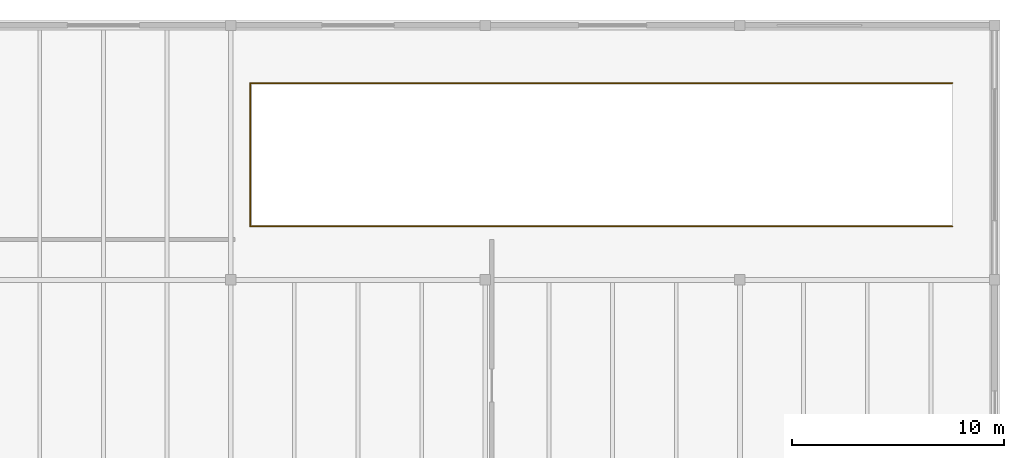
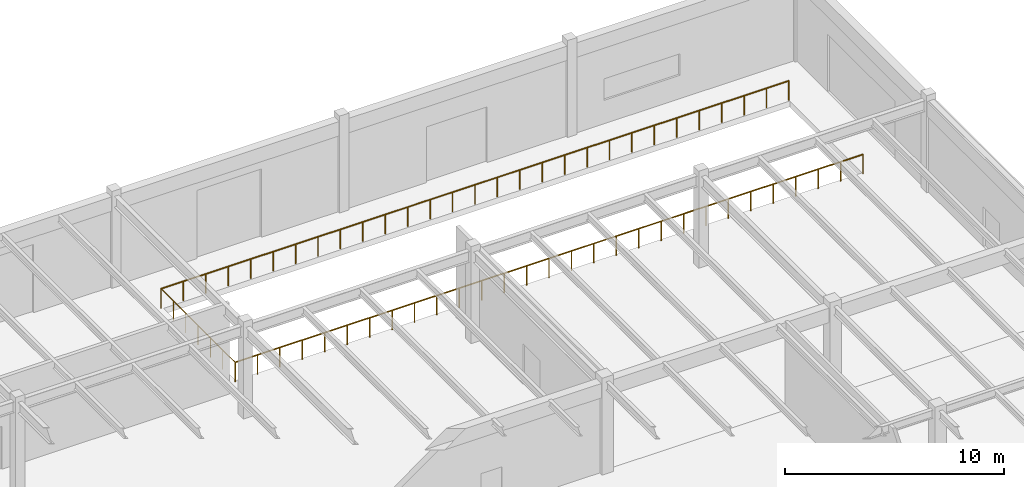
# One storey, part 187 of 188: 3 railings.
"""IFC4 building model written with IfcOpenShell, lengths in metres."""

from ifc_helpers import new_model, si_unit, direction, frame, origin, origin_2d, place, context, subcontext, project, spatial, circle, extrude, material, type_object, element, save


model = new_model("IFC4")

# Units and contexts
model_context = context("Model", 3, precision=1e-05, world=origin(), true_north=direction((0.0, 1.0)))
body_context = subcontext(model_context, "Body", "Model", "MODEL_VIEW")
ifc_project = project(units=[si_unit("LENGTHUNIT", "METRE"), si_unit("AREAUNIT", "SQUARE_METRE"), si_unit("VOLUMEUNIT", "CUBIC_METRE"), si_unit("PLANEANGLEUNIT", "RADIAN"), si_unit("MASSUNIT", "GRAM", prefix="KILO")], contexts=[model_context])

# Site, building, storey
site_placement = place(None, origin())
site = spatial("IfcSite", under=ifc_project, at=site_placement, CompositionType="ELEMENT")
building_placement = place(site_placement, origin())
building = spatial("IfcBuilding", under=site, at=building_placement, Name="Pandanus Reach Market Hall", CompositionType="ELEMENT")
storey_placement = place(building_placement, origin())
storey = spatial("IfcBuildingStorey", under=building, at=storey_placement, Name="L00", CompositionType="ELEMENT", Elevation=0.0)

# Railings
ifc_material = material(Name="Galvanised steel Grade 350 (350 MPa)", Category="steel")
railing_type = type_object("IfcRailingType", Name="GR-INT-110", PredefinedType="GUARDRAIL", material=ifc_material)
railing_1_placement = place(storey_placement, frame((144.919921875, 110.52001953125, 0.0)))
element("IfcRailing", 1, at=railing_1_placement, inside=storey, type_object=railing_type, Name="Vehicle ramp void barrier guard 222", PredefinedType="GUARDRAIL", context=body_context, shape_type="SweptSolid", body=[
    extrude(circle(Radius=0.02392578125, at=origin_2d()), frame((0.0, 0.0, 1.076171875), z_axis=(1.0, 0.0, 0.0), x_axis=(0.0, 1.0, 0.0)), (0.0, 0.0, 1.0), 33.080078125),
    extrude(circle(Radius=0.02099609375, at=origin_2d()), origin(), (0.0, 0.0, 1.0), 1.052001953125),
    extrude(circle(Radius=0.02099609375, at=origin_2d()), frame((1.181396484375, 0.0, 0.0)), (0.0, 0.0, 1.0), 1.052001953125),
    extrude(circle(Radius=0.02099609375, at=origin_2d()), frame((2.36279296875, 0.0, 0.0)), (0.0, 0.0, 1.0), 1.052001953125),
    extrude(circle(Radius=0.02099609375, at=origin_2d()), frame((3.544189453125, 0.0, 0.0)), (0.0, 0.0, 1.0), 1.052001953125),
    extrude(circle(Radius=0.02099609375, at=origin_2d()), frame((4.725830078125, 0.0, 0.0)), (0.0, 0.0, 1.0), 1.052001953125),
    extrude(circle(Radius=0.02099609375, at=origin_2d()), frame((5.9072265625, 0.0, 0.0)), (0.0, 0.0, 1.0), 1.052001953125),
    extrude(circle(Radius=0.02099609375, at=origin_2d()), frame((7.088623046875, 0.0, 0.0)), (0.0, 0.0, 1.0), 1.052001953125),
    extrude(circle(Radius=0.02099609375, at=origin_2d()), frame((8.27001953125, 0.0, 0.0)), (0.0, 0.0, 1.0), 1.052001953125),
    extrude(circle(Radius=0.02099609375, at=origin_2d()), frame((9.451416015625, 0.0, 0.0)), (0.0, 0.0, 1.0), 1.052001953125),
    extrude(circle(Radius=0.02099609375, at=origin_2d()), frame((10.6328125, 0.0, 0.0)), (0.0, 0.0, 1.0), 1.052001953125),
    extrude(circle(Radius=0.02099609375, at=origin_2d()), frame((11.814208984375, 0.0, 0.0)), (0.0, 0.0, 1.0), 1.052001953125),
    extrude(circle(Radius=0.02099609375, at=origin_2d()), frame((12.995849609375, 0.0, 0.0)), (0.0, 0.0, 1.0), 1.052001953125),
    extrude(circle(Radius=0.02099609375, at=origin_2d()), frame((14.17724609375, 0.0, 0.0)), (0.0, 0.0, 1.0), 1.052001953125),
    extrude(circle(Radius=0.02099609375, at=origin_2d()), frame((15.358642578125, 0.0, 0.0)), (0.0, 0.0, 1.0), 1.052001953125),
    extrude(circle(Radius=0.02099609375, at=origin_2d()), frame((16.5400390625, 0.0, 0.0)), (0.0, 0.0, 1.0), 1.052001953125),
    extrude(circle(Radius=0.02099609375, at=origin_2d()), frame((17.721435546875, 0.0, 0.0)), (0.0, 0.0, 1.0), 1.052001953125),
    extrude(circle(Radius=0.02099609375, at=origin_2d()), frame((18.90283203125, 0.0, 0.0)), (0.0, 0.0, 1.0), 1.052001953125),
    extrude(circle(Radius=0.02099609375, at=origin_2d()), frame((20.084228515625, 0.0, 0.0)), (0.0, 0.0, 1.0), 1.052001953125),
    extrude(circle(Radius=0.02099609375, at=origin_2d()), frame((21.265869140625, 0.0, 0.0)), (0.0, 0.0, 1.0), 1.052001953125),
    extrude(circle(Radius=0.02099609375, at=origin_2d()), frame((22.447265625, 0.0, 0.0)), (0.0, 0.0, 1.0), 1.052001953125),
    extrude(circle(Radius=0.02099609375, at=origin_2d()), frame((23.628662109375, 0.0, 0.0)), (0.0, 0.0, 1.0), 1.052001953125),
    extrude(circle(Radius=0.02099609375, at=origin_2d()), frame((24.81005859375, 0.0, 0.0)), (0.0, 0.0, 1.0), 1.052001953125),
    extrude(circle(Radius=0.02099609375, at=origin_2d()), frame((25.991455078125, 0.0, 0.0)), (0.0, 0.0, 1.0), 1.052001953125),
    extrude(circle(Radius=0.02099609375, at=origin_2d()), frame((27.1728515625, 0.0, 0.0)), (0.0, 0.0, 1.0), 1.052001953125),
    extrude(circle(Radius=0.02099609375, at=origin_2d()), frame((28.354248046875, 0.0, 0.0)), (0.0, 0.0, 1.0), 1.052001953125),
    extrude(circle(Radius=0.02099609375, at=origin_2d()), frame((29.535888671875, 0.0, 0.0)), (0.0, 0.0, 1.0), 1.052001953125),
    extrude(circle(Radius=0.02099609375, at=origin_2d()), frame((30.71728515625, 0.0, 0.0)), (0.0, 0.0, 1.0), 1.052001953125),
    extrude(circle(Radius=0.02099609375, at=origin_2d()), frame((31.898681640625, 0.0, 0.0)), (0.0, 0.0, 1.0), 1.052001953125),
    extrude(circle(Radius=0.02099609375, at=origin_2d()), frame((33.080078125, 0.0, 0.0)), (0.0, 0.0, 1.0), 1.052001953125),
])
railing_2_placement = place(storey_placement, frame((144.919921875, 110.52001953125, 0.0)))
element("IfcRailing", 2, at=railing_2_placement, inside=storey, type_object=railing_type, Name="Vehicle ramp void barrier guard 223", PredefinedType="GUARDRAIL", context=body_context, shape_type="SweptSolid", body=[
    extrude(circle(Radius=0.02392578125, at=origin_2d()), frame((0.0, 0.0, 1.076171875), z_axis=(0.0, 1.0, 0.0), x_axis=(-1.0, 0.0, 0.0)), (0.0, 0.0, 1.0), 6.760009765625),
    extrude(circle(Radius=0.02099609375, at=origin_2d()), origin(), (0.0, 0.0, 1.0), 1.052001953125),
    extrude(circle(Radius=0.02099609375, at=origin_2d()), frame((0.0, 1.126708984375, 0.0)), (0.0, 0.0, 1.0), 1.052001953125),
    extrude(circle(Radius=0.02099609375, at=origin_2d()), frame((0.0, 2.25341796875, 0.0)), (0.0, 0.0, 1.0), 1.052001953125),
    extrude(circle(Radius=0.02099609375, at=origin_2d()), frame((0.0, 3.3798828125, 0.0)), (0.0, 0.0, 1.0), 1.052001953125),
    extrude(circle(Radius=0.02099609375, at=origin_2d()), frame((0.0, 4.506591796875, 0.0)), (0.0, 0.0, 1.0), 1.052001953125),
    extrude(circle(Radius=0.02099609375, at=origin_2d()), frame((0.0, 5.63330078125, 0.0)), (0.0, 0.0, 1.0), 1.052001953125),
    extrude(circle(Radius=0.02099609375, at=origin_2d()), frame((0.0, 6.760009765625, 0.0)), (0.0, 0.0, 1.0), 1.052001953125),
])
railing_3_placement = place(storey_placement, frame((144.919921875, 117.280029296875, 0.0)))
element("IfcRailing", 3, at=railing_3_placement, inside=storey, type_object=railing_type, Name="Vehicle ramp void barrier guard 224", PredefinedType="GUARDRAIL", context=body_context, shape_type="SweptSolid", body=[
    extrude(circle(Radius=0.02392578125, at=origin_2d()), frame((0.0, 0.0, 1.076171875), z_axis=(1.0, 0.0, 0.0), x_axis=(0.0, 1.0, 0.0)), (0.0, 0.0, 1.0), 33.080078125),
    extrude(circle(Radius=0.02099609375, at=origin_2d()), origin(), (0.0, 0.0, 1.0), 1.052001953125),
    extrude(circle(Radius=0.02099609375, at=origin_2d()), frame((1.181396484375, 0.0, 0.0)), (0.0, 0.0, 1.0), 1.052001953125),
    extrude(circle(Radius=0.02099609375, at=origin_2d()), frame((2.36279296875, 0.0, 0.0)), (0.0, 0.0, 1.0), 1.052001953125),
    extrude(circle(Radius=0.02099609375, at=origin_2d()), frame((3.544189453125, 0.0, 0.0)), (0.0, 0.0, 1.0), 1.052001953125),
    extrude(circle(Radius=0.02099609375, at=origin_2d()), frame((4.725830078125, 0.0, 0.0)), (0.0, 0.0, 1.0), 1.052001953125),
    extrude(circle(Radius=0.02099609375, at=origin_2d()), frame((5.9072265625, 0.0, 0.0)), (0.0, 0.0, 1.0), 1.052001953125),
    extrude(circle(Radius=0.02099609375, at=origin_2d()), frame((7.088623046875, 0.0, 0.0)), (0.0, 0.0, 1.0), 1.052001953125),
    extrude(circle(Radius=0.02099609375, at=origin_2d()), frame((8.27001953125, 0.0, 0.0)), (0.0, 0.0, 1.0), 1.052001953125),
    extrude(circle(Radius=0.02099609375, at=origin_2d()), frame((9.451416015625, 0.0, 0.0)), (0.0, 0.0, 1.0), 1.052001953125),
    extrude(circle(Radius=0.02099609375, at=origin_2d()), frame((10.6328125, 0.0, 0.0)), (0.0, 0.0, 1.0), 1.052001953125),
    extrude(circle(Radius=0.02099609375, at=origin_2d()), frame((11.814208984375, 0.0, 0.0)), (0.0, 0.0, 1.0), 1.052001953125),
    extrude(circle(Radius=0.02099609375, at=origin_2d()), frame((12.995849609375, 0.0, 0.0)), (0.0, 0.0, 1.0), 1.052001953125),
    extrude(circle(Radius=0.02099609375, at=origin_2d()), frame((14.17724609375, 0.0, 0.0)), (0.0, 0.0, 1.0), 1.052001953125),
    extrude(circle(Radius=0.02099609375, at=origin_2d()), frame((15.358642578125, 0.0, 0.0)), (0.0, 0.0, 1.0), 1.052001953125),
    extrude(circle(Radius=0.02099609375, at=origin_2d()), frame((16.5400390625, 0.0, 0.0)), (0.0, 0.0, 1.0), 1.052001953125),
    extrude(circle(Radius=0.02099609375, at=origin_2d()), frame((17.721435546875, 0.0, 0.0)), (0.0, 0.0, 1.0), 1.052001953125),
    extrude(circle(Radius=0.02099609375, at=origin_2d()), frame((18.90283203125, 0.0, 0.0)), (0.0, 0.0, 1.0), 1.052001953125),
    extrude(circle(Radius=0.02099609375, at=origin_2d()), frame((20.084228515625, 0.0, 0.0)), (0.0, 0.0, 1.0), 1.052001953125),
    extrude(circle(Radius=0.02099609375, at=origin_2d()), frame((21.265869140625, 0.0, 0.0)), (0.0, 0.0, 1.0), 1.052001953125),
    extrude(circle(Radius=0.02099609375, at=origin_2d()), frame((22.447265625, 0.0, 0.0)), (0.0, 0.0, 1.0), 1.052001953125),
    extrude(circle(Radius=0.02099609375, at=origin_2d()), frame((23.628662109375, 0.0, 0.0)), (0.0, 0.0, 1.0), 1.052001953125),
    extrude(circle(Radius=0.02099609375, at=origin_2d()), frame((24.81005859375, 0.0, 0.0)), (0.0, 0.0, 1.0), 1.052001953125),
    extrude(circle(Radius=0.02099609375, at=origin_2d()), frame((25.991455078125, 0.0, 0.0)), (0.0, 0.0, 1.0), 1.052001953125),
    extrude(circle(Radius=0.02099609375, at=origin_2d()), frame((27.1728515625, 0.0, 0.0)), (0.0, 0.0, 1.0), 1.052001953125),
    extrude(circle(Radius=0.02099609375, at=origin_2d()), frame((28.354248046875, 0.0, 0.0)), (0.0, 0.0, 1.0), 1.052001953125),
    extrude(circle(Radius=0.02099609375, at=origin_2d()), frame((29.535888671875, 0.0, 0.0)), (0.0, 0.0, 1.0), 1.052001953125),
    extrude(circle(Radius=0.02099609375, at=origin_2d()), frame((30.71728515625, 0.0, 0.0)), (0.0, 0.0, 1.0), 1.052001953125),
    extrude(circle(Radius=0.02099609375, at=origin_2d()), frame((31.898681640625, 0.0, 0.0)), (0.0, 0.0, 1.0), 1.052001953125),
    extrude(circle(Radius=0.02099609375, at=origin_2d()), frame((33.080078125, 0.0, 0.0)), (0.0, 0.0, 1.0), 1.052001953125),
])

save(model, "model.ifc")
